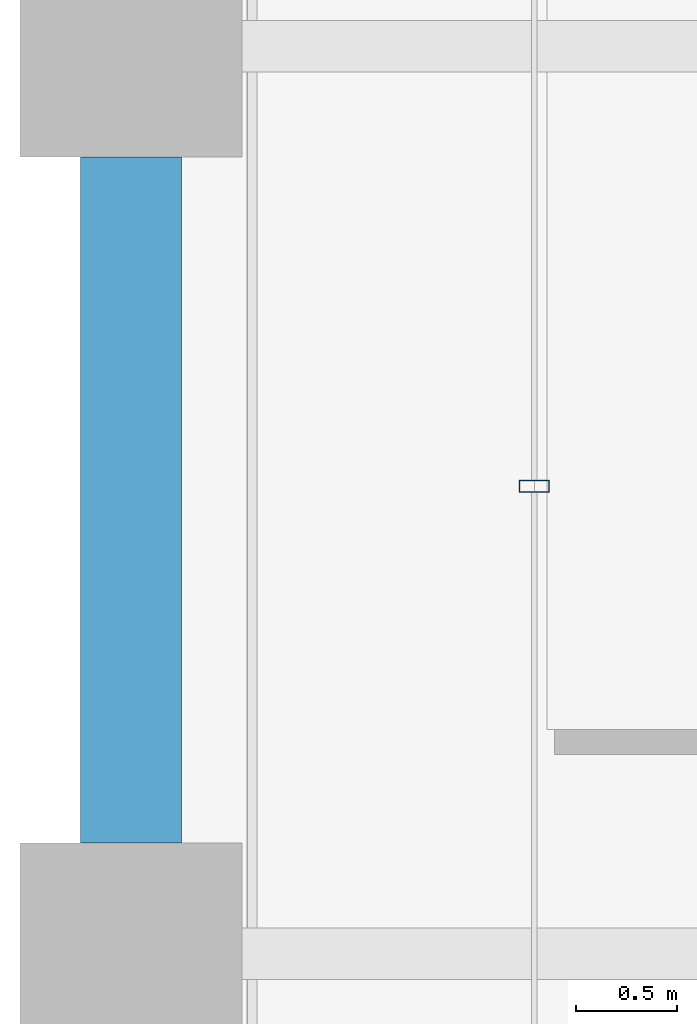
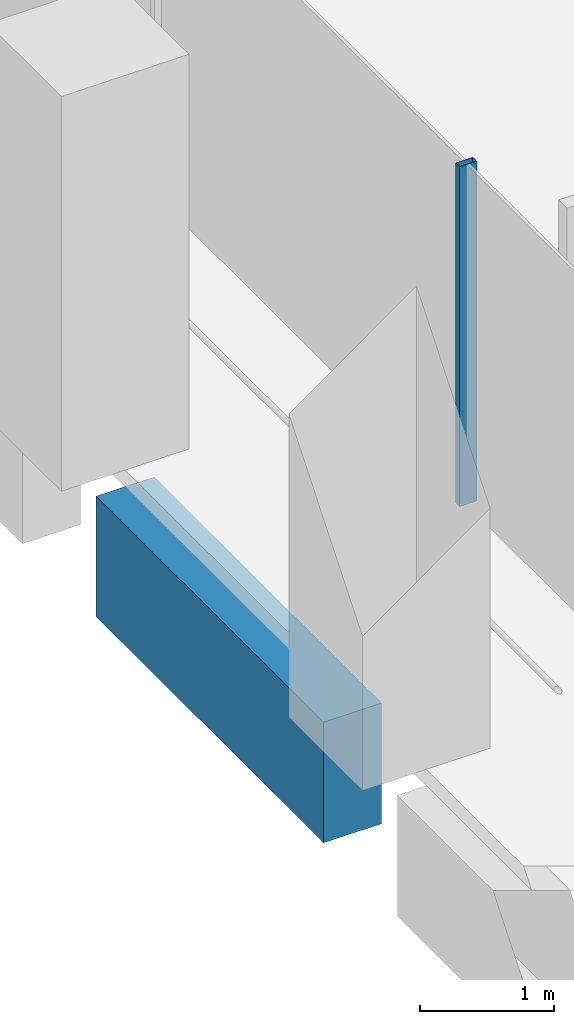
# One storey, part 12 of 54: 1 beam, 1 member, 1 element without a shape of its own.
"""IFC4 building model written with IfcOpenShell, lengths in metres."""

from ifc_helpers import new_model, si_unit, direction, frame, origin, origin_2d, place, context, subcontext, project, spatial, rectangle, hollow_rectangle, extrude, material, material_profile, profile_set, type_object, element, aggregate, save


model = new_model("IFC4")

# Units and contexts
model_context = context("Model", 3, precision=1e-05, world=origin(), true_north=direction((0.0, 1.0)))
body_context = subcontext(model_context, "Body", "Model", "MODEL_VIEW")
ifc_project = project(units=[si_unit("LENGTHUNIT", "METRE"), si_unit("AREAUNIT", "SQUARE_METRE"), si_unit("VOLUMEUNIT", "CUBIC_METRE"), si_unit("PLANEANGLEUNIT", "RADIAN"), si_unit("MASSUNIT", "GRAM", prefix="KILO")], contexts=[model_context])

# Site, building, storey
site_placement = place(None, origin())
site = spatial("IfcSite", under=ifc_project, at=site_placement, CompositionType="ELEMENT")
building_placement = place(site_placement, origin())
building = spatial("IfcBuilding", under=site, at=building_placement, Name="Altepetl Exchange Towers", CompositionType="ELEMENT")
storey_placement = place(building_placement, frame((0.0, 0.0, 65.39990234375)))
storey = spatial("IfcBuildingStorey", under=building, at=storey_placement, Name="L15", CompositionType="ELEMENT", Elevation=65.39990234375)

# Curtain wall, member
ifc_material_1 = material(Name="Aluminium 6063-T6 glazing", Category="aluminium")
curtain_wall_type = type_object("IfcCurtainWallType", Name="Loggia glazing system", PredefinedType="NOTDEFINED", material=ifc_material_1)
curtain_wall_placement = place(storey_placement, origin())
curtain_wall = element("IfcCurtainWall", 1, at=curtain_wall_placement, inside=storey, type_object=curtain_wall_type, Name="CW1 run", PredefinedType="NOTDEFINED")
ifc_material_2 = material(Name="Aluminium 6063-T6", Category="aluminium")
ifc_material_profile_1 = material_profile(ifc_material_2, hollow_rectangle(XDim=0.06005859375, YDim=0.14990234375, WallThickness=0.0029296875, at=origin_2d()), Name="Mullion 60x150 aluminium")
ifc_profile_set_1 = profile_set([ifc_material_profile_1], Name="Aluminium 6063-T6")
member_type = type_object("IfcMemberType", Name="Mullion 60x150 aluminium", PredefinedType="MULLION", material=ifc_profile_set_1)
member_placement = place(storey_placement, frame((29.0, 51.81787109375, 0.0), z_axis=(0.0, 0.0, 1.0), x_axis=(0.0, -1.0, 0.0)))
member = element("IfcMember", 2, at=member_placement, type_object=member_type, Name="MU1 mullion", PredefinedType="MULLION", context=body_context, shape_type="SweptSolid", body=[
    extrude(hollow_rectangle(XDim=0.06005859375, YDim=0.14990234375, WallThickness=0.0029296875, at=origin_2d()), origin(), (0.0, 0.0, 1.0), 3.10009765625),
])
aggregate(curtain_wall, [member])

# Beam
ifc_material_3 = material(Name="Concrete C50/60 precast with tezontle facing", Category="concrete")
ifc_material_profile_2 = material_profile(ifc_material_3, rectangle(XDim=0.5, YDim=1.10009765625, at=origin_2d()), Name="500 x 1100")
ifc_profile_set_2 = profile_set([ifc_material_profile_2], Name="Concrete C50/60 precast with tezontle facing")
beam_type = type_object("IfcBeamType", Name="Spandrel beam 500x1100 tezontle", PredefinedType="SPANDREL", material=ifc_profile_set_2)
beam_placement = place(storey_placement, frame((27.0, 53.449951171875, -0.699951171875), z_axis=(0.0, -1.0, 0.0), x_axis=(1.0, 0.0, 0.0)))
element("IfcBeam", 3, at=beam_placement, inside=storey, type_object=beam_type, Name="sp:A:L15:039", PredefinedType="SPANDREL", context=body_context, shape_type="SweptSolid", body=[
    extrude(rectangle(XDim=0.5, YDim=1.10009765625, at=origin_2d()), origin(), (0.0, 0.0, 1.0), 3.39990234375),
])

save(model, "model.ifc")
